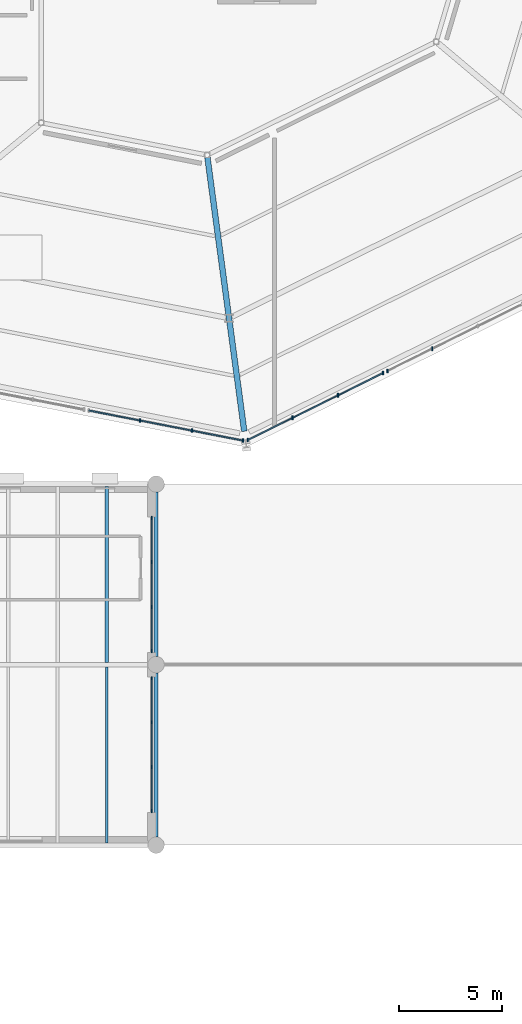
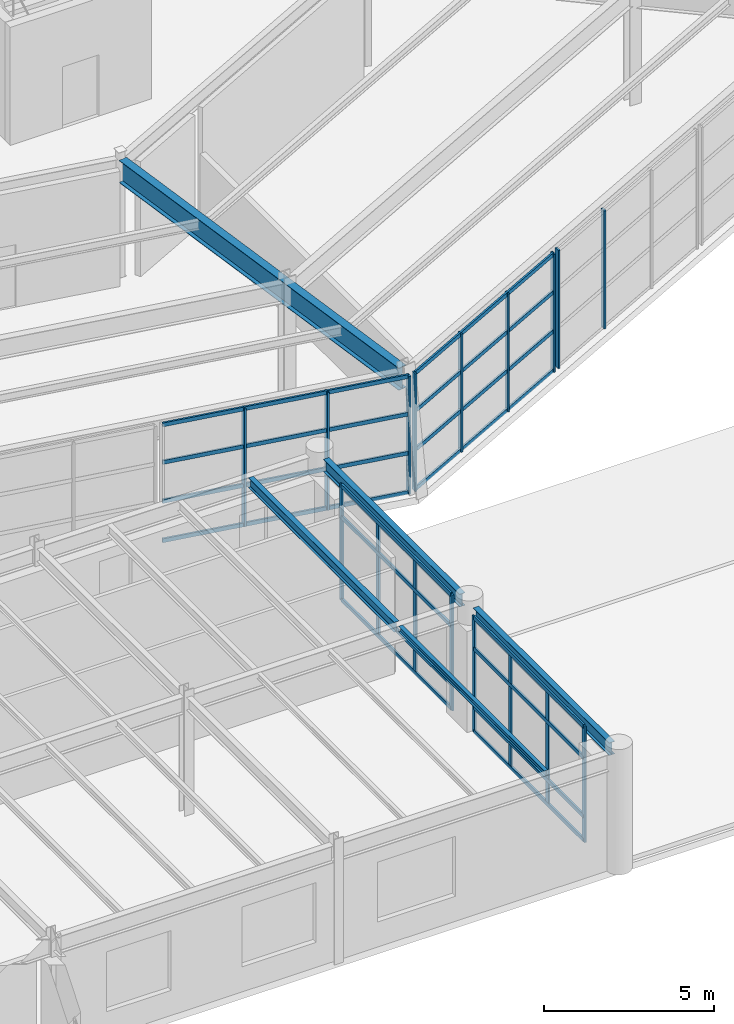
# One storey, part 40 of 77: 33 members, 5 beams, 5 elements without a shape of their own.
"""IFC4 building model written with IfcOpenShell, lengths in metres."""

import ifcopenshell
import ifcopenshell.guid

model = None  # the IFC model being written
_history = None  # IfcOwnerHistory: only IFC2X3 demands one
_inside = {}  # id of a spatial element -> (the spatial element, [elements in it])
_under = {}  # id of a project, library or spatial element -> (it, [spatial elements below it])
_declared = {}  # id of a project -> (the project, [libraries it declares])
_typed = {}  # id of a type object -> (the type object, [elements of that type])
_made_of = {}  # id of a material, layer set ... -> (it, [elements and type objects made of it])


def new_model(schema):
    """Start an empty IFC model of exactly this schema.

    Asked for "IFC4X3", IfcOpenShell would pick the latest addendum, in which some entities
    have other attributes; the version numbers below select the first issue.
    IFC2X3 requires an IfcOwnerHistory on every rooted entity: one is made here for all.
    """
    global model, _history
    if schema == "IFC4X3":
        model = ifcopenshell.file(schema_version=(4, 3, 0, 0))
    else:
        model = ifcopenshell.file(schema=schema)
    _inside.clear()
    _under.clear()
    _declared.clear()
    _typed.clear()
    _made_of.clear()
    _history = None
    if model.schema == "IFC2X3":
        org = make("IfcOrganization", Name="unknown")
        user = make(
            "IfcPersonAndOrganization",
            ThePerson=make("IfcPerson", FamilyName="unknown"),
            TheOrganization=org,
        )
        app = make(
            "IfcApplication",
            ApplicationDeveloper=org,
            Version="unknown",
            ApplicationFullName="unknown",
            ApplicationIdentifier="unknown",
        )
        _history = make(
            "IfcOwnerHistory",
            OwningUser=user,
            OwningApplication=app,
            ChangeAction="ADDED",
            CreationDate=0,
        )
    return model


def make(cls, **values):
    """One entity of the class cls with the attributes given. An attribute that is None is left unset."""
    return model.create_entity(
        cls, **{name: value for name, value in values.items() if value is not None}
    )


def rooted(cls, **values):
    """An entity with a GlobalId (a new one), such as an element, a storey or a relation."""
    return make(cls, GlobalId=ifcopenshell.guid.new(), OwnerHistory=_history, **values)


def si_unit(unit_type, name, prefix=None):
    """IfcSIUnit, for example si_unit("LENGTHUNIT", "METRE", prefix="MILLI")."""
    return make("IfcSIUnit", UnitType=unit_type, Prefix=prefix, Name=name)


def assignment(units):
    """IfcUnitAssignment: the units of a project."""
    return None if units is None else make("IfcUnitAssignment", Units=units)


def point(xyz):
    """IfcCartesianPoint."""
    return None if xyz is None else make("IfcCartesianPoint", Coordinates=xyz)


def direction(xyz):
    """IfcDirection."""
    return None if xyz is None else make("IfcDirection", DirectionRatios=xyz)


def frame(location, z_axis=None, x_axis=None):
    """IfcAxis2Placement3D, a coordinate frame: its origin and axes. An axis left out is left unset."""
    return make(
        "IfcAxis2Placement3D",
        Location=point(location),
        Axis=direction(z_axis),
        RefDirection=direction(x_axis),
    )


def frame_2d(location, x_axis=None):
    """IfcAxis2Placement2D, a coordinate frame in the plane: its origin and x axis."""
    return make(
        "IfcAxis2Placement2D", Location=point(location), RefDirection=direction(x_axis)
    )


def origin():
    """The frame at (0, 0, 0) with its axes left unset."""
    return frame((0.0, 0.0, 0.0))


def origin_2d():
    """The frame at (0, 0) in the plane with its x axis left unset."""
    return frame_2d((0.0, 0.0))


def place(relative_to, where):
    """IfcLocalPlacement: puts the frame where relative to a parent placement (None: the world)."""
    return make(
        "IfcLocalPlacement", PlacementRelTo=relative_to, RelativePlacement=where
    )


def context(
    kind, dimensions, precision=None, world=None, true_north=None, identifier=None
):
    """IfcGeometricRepresentationContext, for example the 3D "Model" context."""
    return make(
        "IfcGeometricRepresentationContext",
        ContextIdentifier=identifier,
        ContextType=kind,
        CoordinateSpaceDimension=dimensions,
        Precision=precision,
        WorldCoordinateSystem=world,
        TrueNorth=true_north,
    )


def subcontext(parent, identifier, kind, view, scale=None):
    """IfcGeometricRepresentationSubContext, for example "Body" below "Model"."""
    return make(
        "IfcGeometricRepresentationSubContext",
        ContextIdentifier=identifier,
        ContextType=kind,
        ParentContext=parent,
        TargetScale=scale,
        TargetView=view,
    )


def project(units=None, contexts=None):
    """IfcProject with its units and contexts."""
    return rooted(
        "IfcProject",
        Name="project",
        RepresentationContexts=contexts,
        UnitsInContext=assignment(units),
    )


def spatial(cls, under=None, at=None, **own):
    """A site, building, storey or space (cls), placed at a placement, below another one or the project."""
    s = rooted(cls, ObjectPlacement=at, **own)
    if under is not None:
        _under.setdefault(under.id(), (under, []))[1].append(s)
    return s


def profile(cls, at=None, kind="AREA", **sizes):
    """A parametric profile (cls). Its sizes go by their IFC names, for example OverallWidth=200.0."""
    return make(cls, ProfileType=kind, Position=at, **sizes)


def rectangle(**sizes):
    """IfcRectangleProfileDef."""
    return profile("IfcRectangleProfileDef", **sizes)


def i_section(**sizes):
    """IfcIShapeProfileDef."""
    return profile("IfcIShapeProfileDef", **sizes)


def extrude(swept, where, along, depth):
    """IfcExtrudedAreaSolid: the profile swept, set in the frame where, extruded along a direction by depth."""
    return make(
        "IfcExtrudedAreaSolid",
        SweptArea=swept,
        Position=where,
        ExtrudedDirection=direction(along),
        Depth=depth,
    )


def shape(context_of_items, identifier, shape_type, items):
    """IfcShapeRepresentation: the items that make up one representation, for example the "Body"."""
    return make(
        "IfcShapeRepresentation",
        ContextOfItems=context_of_items,
        RepresentationIdentifier=identifier,
        RepresentationType=shape_type,
        Items=items,
    )


def material(Name=None, Category=None):
    """IfcMaterial."""
    return make("IfcMaterial", Name=Name, Category=Category)


def material_profile(
    of_material, cross_section, Name=None, Category=None, Priority=None
):
    """IfcMaterialProfile: a cross section and its material."""
    return make(
        "IfcMaterialProfile",
        Name=Name,
        Material=of_material,
        Profile=cross_section,
        Priority=Priority,
        Category=Category,
    )


def profile_set(profiles, Name=None, composite=None):
    """IfcMaterialProfileSet."""
    return make(
        "IfcMaterialProfileSet",
        Name=Name,
        MaterialProfiles=profiles,
        CompositeProfile=composite,
    )


def made_of(thing, what):
    """Note that an element or type object is made of a material, layer set ...; save() writes the relation."""
    if what is not None:
        _made_of.setdefault(what.id(), (what, []))[1].append(thing)
    return thing


def type_object(cls, material=None, **own):
    """A type object (cls), such as IfcWallType, which elements share."""
    return made_of(rooted(cls, **own), material)


def element(
    cls,
    number,
    at=None,
    inside=None,
    cuts=None,
    type_object=None,
    material=None,
    context=None,
    identifier="Body",
    shape_type=None,
    held_by="IfcProductDefinitionShape",
    body=None,
    shapes=None,
    **own,
):
    """One element of the class cls, such as IfcWall. Its Tag is "e" and its number.

    at: its placement. inside: the storey or other place that contains it. cuts: it is an
    opening in that element (IfcRelVoidsElement). A single representation is given by context,
    identifier, shape_type and body (its items); several are given by shapes. held_by: the class
    of the entity that holds the representations. save() writes the other relations.
    """
    e = rooted(cls, Tag="e%d" % number, ObjectPlacement=at, **own)
    if body is not None:
        shapes = [shape(context, identifier, shape_type, body)]
    if shapes is not None:
        e.Representation = make(held_by, Representations=shapes)
    if inside is not None:
        _inside.setdefault(inside.id(), (inside, []))[1].append(e)
    if cuts is not None:
        rooted(
            "IfcRelVoidsElement", RelatingBuildingElement=cuts, RelatedOpeningElement=e
        )
    if type_object is not None:
        _typed.setdefault(type_object.id(), (type_object, []))[1].append(e)
    return made_of(e, material)


def aggregate(whole, parts):
    """IfcRelAggregates: a whole, such as a stair, and the parts it consists of."""
    return rooted("IfcRelAggregates", RelatingObject=whole, RelatedObjects=parts)


def save(model, path):
    """Write the relations noted so far, then the file.

    IfcRelAggregates (storeys below a building ...), IfcRelContainedInSpatialStructure (elements
    in a storey), IfcRelDefinesByType, IfcRelAssociatesMaterial and IfcRelDeclares: one each for
    every whole, place, type object, material and project.
    """
    for whole, parts in _under.values():
        aggregate(whole, parts)
    for where, things in _inside.values():
        rooted(
            "IfcRelContainedInSpatialStructure",
            RelatedElements=things,
            RelatingStructure=where,
        )
    for kind, things in _typed.values():
        rooted("IfcRelDefinesByType", RelatedObjects=things, RelatingType=kind)
    for what, things in _made_of.values():
        rooted("IfcRelAssociatesMaterial", RelatedObjects=things, RelatingMaterial=what)
    for by, libraries in _declared.values():
        rooted("IfcRelDeclares", RelatingContext=by, RelatedDefinitions=libraries)
    model.write(path)


model = new_model("IFC4")

# Units and contexts
model_context = context("Model", 3, precision=1e-05, world=origin(), true_north=direction((0.0, 1.0)))
body_context = subcontext(model_context, "Body", "Model", "MODEL_VIEW")
ifc_project = project(units=[si_unit("LENGTHUNIT", "METRE"), si_unit("AREAUNIT", "SQUARE_METRE"), si_unit("VOLUMEUNIT", "CUBIC_METRE"), si_unit("PLANEANGLEUNIT", "RADIAN"), si_unit("MASSUNIT", "GRAM", prefix="KILO")], contexts=[model_context])

# Site, building, storey
site_placement = place(None, origin())
site = spatial("IfcSite", under=ifc_project, at=site_placement, CompositionType="ELEMENT")
building_placement = place(site_placement, origin())
building = spatial("IfcBuilding", under=site, at=building_placement, Name="Sarnbrook Museum", CompositionType="ELEMENT")
storey_placement = place(building_placement, frame((0.0, 0.0, 5.60009765625)))
storey = spatial("IfcBuildingStorey", under=building, at=storey_placement, Name="L01", CompositionType="ELEMENT", Elevation=5.60009765625)

# Beams
ifc_material_1 = material(Name="Structural Steel Grade 300PLUS (AS/NZS 3679.1, fy = 280 MPa for 17 < t <= 40 mm, 300 MPa for t <= 17 mm)", Category="steel")
ifc_material_profile_1 = material_profile(ifc_material_1, i_section(OverallWidth=0.18994140625, OverallDepth=0.45703125, WebThickness=0.009033203125, FlangeThickness=0.014404296875, FilletRadius=0.011474609375, at=origin_2d()), Name="460UB74.6")
ifc_profile_set_1 = profile_set([ifc_material_profile_1], Name="Structural Steel Grade 300PLUS (AS/NZS 3679.1, fy = 280 MPa for 17 < t <= 40 mm, 300 MPa for t <= 17 mm)")
beam_type_1 = type_object("IfcBeamType", Name="BM-UB460", PredefinedType="BEAM", material=ifc_profile_set_1)
for number, where, z_axis, x_axis, name in (
    (1, (138.39990234375, 39.60009765625, 4.021484375), (0.0, 1.0, 0.0), (-1.0, 0.0, 0.0), "Girder 15:E-F L01"),
    (2, (138.39990234375, 48.39990234375, 4.021484375), (0.0, 1.0, 0.0), (-1.0, 0.0, 0.0), "Girder 15:F-G L01"),
):
    element("IfcBeam", number, at=place(storey_placement, frame(where, z_axis=z_axis, x_axis=x_axis)), inside=storey, type_object=beam_type_1, Name=name, PredefinedType="BEAM", context=body_context, shape_type="SweptSolid", body=[
        extrude(i_section(OverallWidth=0.18994140625, OverallDepth=0.45703125, WebThickness=0.009033203125, FlangeThickness=0.014404296875, FilletRadius=0.011474609375, at=origin_2d()), origin(), (0.0, 0.0, 1.0), 8.0),
    ])
ifc_material_2 = material(Name="Structural Steel Grade 350L0 (AS/NZS 3678, fy = 340 MPa for 20 < t <= 40 mm)", Category="steel")
ifc_material_profile_2 = material_profile(ifc_material_2, i_section(OverallWidth=0.27490234375, OverallDepth=0.800048828125, WebThickness=0.010009765625, FlangeThickness=0.01611328125, at=origin_2d()), Name="800WB146")
ifc_profile_set_2 = profile_set([ifc_material_profile_2], Name="Structural Steel Grade 350L0 (AS/NZS 3678, fy = 340 MPa for 20 < t <= 40 mm)")
beam_type_2 = type_object("IfcBeamType", Name="CR-CANT", PredefinedType="BEAM", material=ifc_profile_set_2)
beam_1_placement = place(storey_placement, frame((140.9033203125, 72.7099609375, 3.83984375), z_axis=(0.133228052904, -0.991085407984, 0.0), x_axis=(0.991085407984, 0.133228052904, 0.0)))
element("IfcBeam", 3, at=beam_1_placement, inside=storey, type_object=beam_type_2, Name="Crystal Hall Radial Cantilever Girder 2 L01", PredefinedType="BEAM", context=body_context, shape_type="SweptSolid", body=[
    extrude(i_section(OverallWidth=0.27490234375, OverallDepth=0.800048828125, WebThickness=0.010009765625, FlangeThickness=0.01611328125, at=origin_2d()), origin(), (0.0, 0.0, 1.0), 13.461669921875),
])

# Curtain wall, members
ifc_material_3 = material(Name="Thermally Broken Anodised Aluminium 6063-T6", Category="aluminium")
curtain_wall_type_1 = type_object("IfcCurtainWallType", Name="CurtainWall_GalleryRibbon", PredefinedType="NOTDEFINED", material=ifc_material_3)
curtain_wall_1_placement = place(storey_placement, origin())
curtain_wall_1 = element("IfcCurtainWall", 4, at=curtain_wall_1_placement, inside=storey, type_object=curtain_wall_type_1, Name="Gallery Ribbon Curtain Wall L01-4.1", PredefinedType="NOTDEFINED")
ifc_material_profile_3 = material_profile(ifc_material_3, rectangle(XDim=0.06005859375, YDim=0.159912109375, at=origin_2d()), Name="ALU MULLION 60x160")
ifc_profile_set_3 = profile_set([ifc_material_profile_3], Name="Thermally Broken Anodised Aluminium 6063-T6")
member_type_1 = type_object("IfcMemberType", Name="CW_Mullion_150x65", PredefinedType="MULLION", material=ifc_profile_set_3)
member_1_placement = place(storey_placement, frame((138.18994140625, 40.860107421875, 0.0), z_axis=(0.0, 0.0, 1.0), x_axis=(1.0, 0.0, 0.0)))
member_1 = element("IfcMember", 5, at=member_1_placement, type_object=member_type_1, Name="Gallery Ribbon Curtain Wall L01-4.1 Mullion 1", PredefinedType="MULLION", context=body_context, shape_type="SweptSolid", body=[
    extrude(rectangle(XDim=0.06005859375, YDim=0.159912109375, at=origin_2d()), origin(), (0.0, 0.0, 1.0), 4.159912109375),
])
member_2_placement = place(storey_placement, frame((138.18994140625, 43.006591796875, 0.0), z_axis=(0.0, 0.0, 1.0), x_axis=(1.0, 0.0, 0.0)))
member_2 = element("IfcMember", 6, at=member_2_placement, type_object=member_type_1, Name="Gallery Ribbon Curtain Wall L01-4.1 Mullion 2", PredefinedType="MULLION", context=body_context, shape_type="SweptSolid", body=[
    extrude(rectangle(XDim=0.06005859375, YDim=0.159912109375, at=origin_2d()), origin(), (0.0, 0.0, 1.0), 4.159912109375),
])
member_3_placement = place(storey_placement, frame((138.18994140625, 45.193359375, 0.0), z_axis=(0.0, 0.0, 1.0), x_axis=(1.0, 0.0, 0.0)))
member_3 = element("IfcMember", 7, at=member_3_placement, type_object=member_type_1, Name="Gallery Ribbon Curtain Wall L01-4.1 Mullion 3", PredefinedType="MULLION", context=body_context, shape_type="SweptSolid", body=[
    extrude(rectangle(XDim=0.06005859375, YDim=0.159912109375, at=origin_2d()), origin(), (0.0, 0.0, 1.0), 4.159912109375),
])
member_4_placement = place(storey_placement, frame((138.18994140625, 47.340087890625, 0.0), z_axis=(0.0, 0.0, 1.0), x_axis=(1.0, 0.0, 0.0)))
member_4 = element("IfcMember", 8, at=member_4_placement, type_object=member_type_1, Name="Gallery Ribbon Curtain Wall L01-4.1 Mullion 4", PredefinedType="MULLION", context=body_context, shape_type="SweptSolid", body=[
    extrude(rectangle(XDim=0.06005859375, YDim=0.159912109375, at=origin_2d()), origin(), (0.0, 0.0, 1.0), 4.159912109375),
])

curtain_wall_2_placement = place(storey_placement, origin())
curtain_wall_2 = element("IfcCurtainWall", 9, at=curtain_wall_2_placement, inside=storey, type_object=curtain_wall_type_1, Name="Gallery Ribbon Curtain Wall L01-4.2", PredefinedType="NOTDEFINED")
member_5_placement = place(storey_placement, frame((138.18994140625, 48.659912109375, 0.0), z_axis=(0.0, 0.0, 1.0), x_axis=(1.0, 0.0, 0.0)))
member_5 = element("IfcMember", 10, at=member_5_placement, type_object=member_type_1, Name="Gallery Ribbon Curtain Wall L01-4.2 Mullion 1", PredefinedType="MULLION", context=body_context, shape_type="SweptSolid", body=[
    extrude(rectangle(XDim=0.06005859375, YDim=0.159912109375, at=origin_2d()), origin(), (0.0, 0.0, 1.0), 4.159912109375),
])
member_6_placement = place(storey_placement, frame((138.18994140625, 50.806640625, 0.0), z_axis=(0.0, 0.0, 1.0), x_axis=(1.0, 0.0, 0.0)))
member_6 = element("IfcMember", 11, at=member_6_placement, type_object=member_type_1, Name="Gallery Ribbon Curtain Wall L01-4.2 Mullion 2", PredefinedType="MULLION", context=body_context, shape_type="SweptSolid", body=[
    extrude(rectangle(XDim=0.06005859375, YDim=0.159912109375, at=origin_2d()), origin(), (0.0, 0.0, 1.0), 4.159912109375),
])
member_7_placement = place(storey_placement, frame((138.18994140625, 52.993408203125, 0.0), z_axis=(0.0, 0.0, 1.0), x_axis=(1.0, 0.0, 0.0)))
member_7 = element("IfcMember", 12, at=member_7_placement, type_object=member_type_1, Name="Gallery Ribbon Curtain Wall L01-4.2 Mullion 3", PredefinedType="MULLION", context=body_context, shape_type="SweptSolid", body=[
    extrude(rectangle(XDim=0.06005859375, YDim=0.159912109375, at=origin_2d()), origin(), (0.0, 0.0, 1.0), 4.159912109375),
])
member_8_placement = place(storey_placement, frame((138.18994140625, 55.139892578125, 0.0), z_axis=(0.0, 0.0, 1.0), x_axis=(1.0, 0.0, 0.0)))
member_8 = element("IfcMember", 13, at=member_8_placement, type_object=member_type_1, Name="Gallery Ribbon Curtain Wall L01-4.2 Mullion 4", PredefinedType="MULLION", context=body_context, shape_type="SweptSolid", body=[
    extrude(rectangle(XDim=0.06005859375, YDim=0.159912109375, at=origin_2d()), origin(), (0.0, 0.0, 1.0), 4.159912109375),
])

curtain_wall_type_2 = type_object("IfcCurtainWallType", Name="CurtainWall_CrystalFacet", PredefinedType="NOTDEFINED", material=ifc_material_3)
curtain_wall_3_placement = place(storey_placement, origin())
curtain_wall_3 = element("IfcCurtainWall", 14, at=curtain_wall_3_placement, inside=storey, type_object=curtain_wall_type_2, Name="Crystal Hall Facet Curtain Wall L01-F1.3", PredefinedType="NOTDEFINED")
ifc_material_profile_4 = material_profile(ifc_material_3, rectangle(XDim=0.06494140625, YDim=0.179931640625, at=origin_2d()), Name="ALU MULLION 65x180")
ifc_profile_set_4 = profile_set([ifc_material_profile_4], Name="Thermally Broken Anodised Aluminium 6063-T6")
member_type_2 = type_object("IfcMemberType", Name="CW_Mullion_180x75", PredefinedType="MULLION", material=ifc_profile_set_4)
member_9_placement = place(storey_placement, frame((137.61328125, 59.895263671875, 0.0), z_axis=(0.0, 0.0, 1.0), x_axis=(1.0, 0.0, 0.0)))
member_9 = element("IfcMember", 15, at=member_9_placement, type_object=member_type_2, Name="Crystal Hall Facet Curtain Wall L01-F1.3 Mullion 2", PredefinedType="MULLION", context=body_context, shape_type="SweptSolid", body=[
    extrude(rectangle(XDim=0.06494140625, YDim=0.179931640625, at=origin_2d()), origin(), (0.0, 0.0, 1.0), 4.239990234375),
])
member_10_placement = place(storey_placement, frame((140.147705078125, 59.4013671875, 0.0), z_axis=(0.0, 0.0, 1.0), x_axis=(1.0, 0.0, 0.0)))
member_10 = element("IfcMember", 16, at=member_10_placement, type_object=member_type_2, Name="Crystal Hall Facet Curtain Wall L01-F1.3 Mullion 3", PredefinedType="MULLION", context=body_context, shape_type="SweptSolid", body=[
    extrude(rectangle(XDim=0.06494140625, YDim=0.179931640625, at=origin_2d()), origin(), (0.0, 0.0, 1.0), 4.239990234375),
])
member_11_placement = place(storey_placement, frame((142.642822265625, 58.9150390625, 0.0), z_axis=(0.0, 0.0, 1.0), x_axis=(1.0, 0.0, 0.0)))
member_11 = element("IfcMember", 17, at=member_11_placement, type_object=member_type_2, Name="Crystal Hall Facet Curtain Wall L01-F1.3 Mullion 4", PredefinedType="MULLION", context=body_context, shape_type="SweptSolid", body=[
    extrude(rectangle(XDim=0.06494140625, YDim=0.179931640625, at=origin_2d()), origin(), (0.0, 0.0, 1.0), 4.239990234375),
])

curtain_wall_4_placement = place(storey_placement, origin())
curtain_wall_4 = element("IfcCurtainWall", 18, at=curtain_wall_4_placement, inside=storey, type_object=curtain_wall_type_2, Name="Crystal Hall Facet Curtain Wall L01-F2.1", PredefinedType="NOTDEFINED")
member_12_placement = place(storey_placement, frame((142.8681640625, 58.9453125, 0.0), z_axis=(0.0, 0.0, 1.0), x_axis=(1.0, 0.0, 0.0)))
member_12 = element("IfcMember", 19, at=member_12_placement, type_object=member_type_2, Name="Crystal Hall Facet Curtain Wall L01-F2.1 Mullion 1", PredefinedType="MULLION", context=body_context, shape_type="SweptSolid", body=[
    extrude(rectangle(XDim=0.06494140625, YDim=0.179931640625, at=origin_2d()), origin(), (0.0, 0.0, 1.0), 4.239990234375),
])
member_13_placement = place(storey_placement, frame((145.052001953125, 60.026611328125, 0.0), z_axis=(0.0, 0.0, 1.0), x_axis=(1.0, 0.0, 0.0)))
member_13 = element("IfcMember", 20, at=member_13_placement, type_object=member_type_2, Name="Crystal Hall Facet Curtain Wall L01-F2.1 Mullion 2", PredefinedType="MULLION", context=body_context, shape_type="SweptSolid", body=[
    extrude(rectangle(XDim=0.06494140625, YDim=0.179931640625, at=origin_2d()), origin(), (0.0, 0.0, 1.0), 4.239990234375),
])
member_14_placement = place(storey_placement, frame((147.271484375, 61.12548828125, 0.0), z_axis=(0.0, 0.0, 1.0), x_axis=(1.0, 0.0, 0.0)))
member_14 = element("IfcMember", 21, at=member_14_placement, type_object=member_type_2, Name="Crystal Hall Facet Curtain Wall L01-F2.1 Mullion 3", PredefinedType="MULLION", context=body_context, shape_type="SweptSolid", body=[
    extrude(rectangle(XDim=0.06494140625, YDim=0.179931640625, at=origin_2d()), origin(), (0.0, 0.0, 1.0), 4.239990234375),
])
member_15_placement = place(storey_placement, frame((149.455322265625, 62.206787109375, 0.0), z_axis=(0.0, 0.0, 1.0), x_axis=(1.0, 0.0, 0.0)))
member_15 = element("IfcMember", 22, at=member_15_placement, type_object=member_type_2, Name="Crystal Hall Facet Curtain Wall L01-F2.1 Mullion 4", PredefinedType="MULLION", context=body_context, shape_type="SweptSolid", body=[
    extrude(rectangle(XDim=0.06494140625, YDim=0.179931640625, at=origin_2d()), origin(), (0.0, 0.0, 1.0), 4.239990234375),
])

curtain_wall_5_placement = place(storey_placement, origin())
curtain_wall_5 = element("IfcCurtainWall", 23, at=curtain_wall_5_placement, inside=storey, type_object=curtain_wall_type_2, Name="Crystal Hall Facet Curtain Wall L01-F2.2", PredefinedType="NOTDEFINED")
member_16_placement = place(storey_placement, frame((149.67041015625, 62.313232421875, 0.0), z_axis=(0.0, 0.0, 1.0), x_axis=(1.0, 0.0, 0.0)))
member_16 = element("IfcMember", 24, at=member_16_placement, type_object=member_type_2, Name="Crystal Hall Facet Curtain Wall L01-F2.2 Mullion 1", PredefinedType="MULLION", context=body_context, shape_type="SweptSolid", body=[
    extrude(rectangle(XDim=0.06494140625, YDim=0.179931640625, at=origin_2d()), origin(), (0.0, 0.0, 1.0), 4.239990234375),
])
member_17_placement = place(storey_placement, frame((151.85400390625, 63.39453125, 0.0), z_axis=(0.0, 0.0, 1.0), x_axis=(1.0, 0.0, 0.0)))
member_17 = element("IfcMember", 25, at=member_17_placement, type_object=member_type_2, Name="Crystal Hall Facet Curtain Wall L01-F2.2 Mullion 2", PredefinedType="MULLION", context=body_context, shape_type="SweptSolid", body=[
    extrude(rectangle(XDim=0.06494140625, YDim=0.179931640625, at=origin_2d()), origin(), (0.0, 0.0, 1.0), 4.239990234375),
])
aggregate(curtain_wall_5, [member_16, member_17])

# Member
ifc_material_profile_5 = material_profile(ifc_material_3, rectangle(XDim=0.06494140625, YDim=0.139892578125, at=origin_2d()), Name="ALU TRANSOM 65x140")
ifc_profile_set_5 = profile_set([ifc_material_profile_5], Name="Thermally Broken Anodised Aluminium 6063-T6")
member_type_3 = type_object("IfcMemberType", Name="CW_Transom_150x65", PredefinedType="USERDEFINED", material=ifc_profile_set_5)
member_18_placement = place(storey_placement, frame((135.127685546875, 60.3798828125, 0.039794921875), z_axis=(0.981529214935, -0.191312310711, 0.0), x_axis=(0.191312310711, 0.981529214935, 0.0)))
member_18 = element("IfcMember", 26, at=member_18_placement, type_object=member_type_3, Name="Crystal Hall Facet Curtain Wall L01-F1.3 Transom 1", ObjectType="TRANSOM", PredefinedType="USERDEFINED", context=body_context, shape_type="SweptSolid", body=[
    extrude(rectangle(XDim=0.06494140625, YDim=0.139892578125, at=origin_2d()), origin(), (0.0, 0.0, 1.0), 7.646728515625),
])

member_19_placement = place(storey_placement, frame((135.127685546875, 60.3798828125, 1.449951171875), z_axis=(0.981529214935, -0.191312310711, 0.0), x_axis=(0.191312310711, 0.981529214935, 0.0)))
member_19 = element("IfcMember", 27, at=member_19_placement, type_object=member_type_3, Name="Crystal Hall Facet Curtain Wall L01-F1.3 Transom 2", ObjectType="TRANSOM", PredefinedType="USERDEFINED", context=body_context, shape_type="SweptSolid", body=[
    extrude(rectangle(XDim=0.06494140625, YDim=0.139892578125, at=origin_2d()), origin(), (0.0, 0.0, 1.0), 7.646728515625),
])

member_20_placement = place(storey_placement, frame((135.127685546875, 60.3798828125, 2.849853515625), z_axis=(0.981529214935, -0.191312310711, 0.0), x_axis=(0.191312310711, 0.981529214935, 0.0)))
member_20 = element("IfcMember", 28, at=member_20_placement, type_object=member_type_3, Name="Crystal Hall Facet Curtain Wall L01-F1.3 Transom 3", ObjectType="TRANSOM", PredefinedType="USERDEFINED", context=body_context, shape_type="SweptSolid", body=[
    extrude(rectangle(XDim=0.06494140625, YDim=0.139892578125, at=origin_2d()), origin(), (0.0, 0.0, 1.0), 7.646728515625),
])

member_21_placement = place(storey_placement, frame((135.127685546875, 60.3798828125, 4.199951171875), z_axis=(0.981529214935, -0.191312310711, 0.0), x_axis=(0.191312310711, 0.981529214935, 0.0)))
member_21 = element("IfcMember", 29, at=member_21_placement, type_object=member_type_3, Name="Crystal Hall Facet Curtain Wall L01-F1.3 Transom 4", ObjectType="TRANSOM", PredefinedType="USERDEFINED", context=body_context, shape_type="SweptSolid", body=[
    extrude(rectangle(XDim=0.06494140625, YDim=0.139892578125, at=origin_2d()), origin(), (0.0, 0.0, 1.0), 7.646728515625),
])

aggregate(curtain_wall_3, [member_9, member_10, member_11, member_18, member_19, member_20, member_21])

member_22_placement = place(storey_placement, frame((142.877197265625, 58.94970703125, 0.039794921875), z_axis=(0.896158994675, 0.443733091242, 0.0), x_axis=(-0.443733091242, 0.896158994675, 0.0)))
member_22 = element("IfcMember", 30, at=member_22_placement, type_object=member_type_3, Name="Crystal Hall Facet Curtain Wall L01-F2.1 Transom 1", ObjectType="TRANSOM", PredefinedType="USERDEFINED", context=body_context, shape_type="SweptSolid", body=[
    extrude(rectangle(XDim=0.06494140625, YDim=0.139892578125, at=origin_2d()), origin(), (0.0, 0.0, 1.0), 7.330322265625),
])

member_23_placement = place(storey_placement, frame((142.877197265625, 58.94970703125, 1.449951171875), z_axis=(0.896158994675, 0.443733091242, 0.0), x_axis=(-0.443733091242, 0.896158994675, 0.0)))
member_23 = element("IfcMember", 31, at=member_23_placement, type_object=member_type_3, Name="Crystal Hall Facet Curtain Wall L01-F2.1 Transom 2", ObjectType="TRANSOM", PredefinedType="USERDEFINED", context=body_context, shape_type="SweptSolid", body=[
    extrude(rectangle(XDim=0.06494140625, YDim=0.139892578125, at=origin_2d()), origin(), (0.0, 0.0, 1.0), 7.330322265625),
])

member_24_placement = place(storey_placement, frame((142.877197265625, 58.94970703125, 2.849853515625), z_axis=(0.896158994675, 0.443733091242, 0.0), x_axis=(-0.443733091242, 0.896158994675, 0.0)))
member_24 = element("IfcMember", 32, at=member_24_placement, type_object=member_type_3, Name="Crystal Hall Facet Curtain Wall L01-F2.1 Transom 3", ObjectType="TRANSOM", PredefinedType="USERDEFINED", context=body_context, shape_type="SweptSolid", body=[
    extrude(rectangle(XDim=0.06494140625, YDim=0.139892578125, at=origin_2d()), origin(), (0.0, 0.0, 1.0), 7.330322265625),
])

member_25_placement = place(storey_placement, frame((142.877197265625, 58.94970703125, 4.199951171875), z_axis=(0.896158994675, 0.443733091242, 0.0), x_axis=(-0.443733091242, 0.896158994675, 0.0)))
member_25 = element("IfcMember", 33, at=member_25_placement, type_object=member_type_3, Name="Crystal Hall Facet Curtain Wall L01-F2.1 Transom 4", ObjectType="TRANSOM", PredefinedType="USERDEFINED", context=body_context, shape_type="SweptSolid", body=[
    extrude(rectangle(XDim=0.06494140625, YDim=0.139892578125, at=origin_2d()), origin(), (0.0, 0.0, 1.0), 7.330322265625),
])

aggregate(curtain_wall_4, [member_12, member_13, member_14, member_15, member_22, member_23, member_24, member_25])

member_26_placement = place(storey_placement, frame((138.18994140625, 40.8701171875, 0.039794921875), z_axis=(0.0, 1.0, 0.0), x_axis=(-1.0, 0.0, 0.0)))
member_26 = element("IfcMember", 34, at=member_26_placement, type_object=member_type_3, Name="Gallery Ribbon Curtain Wall L01-4.1 Transom 1", ObjectType="TRANSOM", PredefinedType="USERDEFINED", context=body_context, shape_type="SweptSolid", body=[
    extrude(rectangle(XDim=0.06494140625, YDim=0.139892578125, at=origin_2d()), origin(), (0.0, 0.0, 1.0), 6.4599609375),
])

member_27_placement = place(storey_placement, frame((138.18994140625, 40.8701171875, 0.89990234375), z_axis=(0.0, 1.0, 0.0), x_axis=(-1.0, 0.0, 0.0)))
member_27 = element("IfcMember", 35, at=member_27_placement, type_object=member_type_3, Name="Gallery Ribbon Curtain Wall L01-4.1 Transom 2", ObjectType="TRANSOM", PredefinedType="USERDEFINED", context=body_context, shape_type="SweptSolid", body=[
    extrude(rectangle(XDim=0.06494140625, YDim=0.139892578125, at=origin_2d()), origin(), (0.0, 0.0, 1.0), 6.4599609375),
])

member_28_placement = place(storey_placement, frame((138.18994140625, 40.8701171875, 3.0), z_axis=(0.0, 1.0, 0.0), x_axis=(-1.0, 0.0, 0.0)))
member_28 = element("IfcMember", 36, at=member_28_placement, type_object=member_type_3, Name="Gallery Ribbon Curtain Wall L01-4.1 Transom 3", ObjectType="TRANSOM", PredefinedType="USERDEFINED", context=body_context, shape_type="SweptSolid", body=[
    extrude(rectangle(XDim=0.06494140625, YDim=0.139892578125, at=origin_2d()), origin(), (0.0, 0.0, 1.0), 6.4599609375),
])

member_29_placement = place(storey_placement, frame((138.18994140625, 40.8701171875, 4.119873046875), z_axis=(0.0, 1.0, 0.0), x_axis=(-1.0, 0.0, 0.0)))
member_29 = element("IfcMember", 37, at=member_29_placement, type_object=member_type_3, Name="Gallery Ribbon Curtain Wall L01-4.1 Transom 4", ObjectType="TRANSOM", PredefinedType="USERDEFINED", context=body_context, shape_type="SweptSolid", body=[
    extrude(rectangle(XDim=0.06494140625, YDim=0.139892578125, at=origin_2d()), origin(), (0.0, 0.0, 1.0), 6.4599609375),
])

aggregate(curtain_wall_1, [member_1, member_2, member_3, member_4, member_26, member_27, member_28, member_29])

member_30_placement = place(storey_placement, frame((138.18994140625, 48.669921875, 0.039794921875), z_axis=(0.0, 1.0, 0.0), x_axis=(-1.0, 0.0, 0.0)))
member_30 = element("IfcMember", 38, at=member_30_placement, type_object=member_type_3, Name="Gallery Ribbon Curtain Wall L01-4.2 Transom 1", ObjectType="TRANSOM", PredefinedType="USERDEFINED", context=body_context, shape_type="SweptSolid", body=[
    extrude(rectangle(XDim=0.06494140625, YDim=0.139892578125, at=origin_2d()), origin(), (0.0, 0.0, 1.0), 6.4599609375),
])

member_31_placement = place(storey_placement, frame((138.18994140625, 48.669921875, 0.89990234375), z_axis=(0.0, 1.0, 0.0), x_axis=(-1.0, 0.0, 0.0)))
member_31 = element("IfcMember", 39, at=member_31_placement, type_object=member_type_3, Name="Gallery Ribbon Curtain Wall L01-4.2 Transom 2", ObjectType="TRANSOM", PredefinedType="USERDEFINED", context=body_context, shape_type="SweptSolid", body=[
    extrude(rectangle(XDim=0.06494140625, YDim=0.139892578125, at=origin_2d()), origin(), (0.0, 0.0, 1.0), 6.4599609375),
])

member_32_placement = place(storey_placement, frame((138.18994140625, 48.669921875, 3.0), z_axis=(0.0, 1.0, 0.0), x_axis=(-1.0, 0.0, 0.0)))
member_32 = element("IfcMember", 40, at=member_32_placement, type_object=member_type_3, Name="Gallery Ribbon Curtain Wall L01-4.2 Transom 3", ObjectType="TRANSOM", PredefinedType="USERDEFINED", context=body_context, shape_type="SweptSolid", body=[
    extrude(rectangle(XDim=0.06494140625, YDim=0.139892578125, at=origin_2d()), origin(), (0.0, 0.0, 1.0), 6.4599609375),
])

member_33_placement = place(storey_placement, frame((138.18994140625, 48.669921875, 4.119873046875), z_axis=(0.0, 1.0, 0.0), x_axis=(-1.0, 0.0, 0.0)))
member_33 = element("IfcMember", 41, at=member_33_placement, type_object=member_type_3, Name="Gallery Ribbon Curtain Wall L01-4.2 Transom 4", ObjectType="TRANSOM", PredefinedType="USERDEFINED", context=body_context, shape_type="SweptSolid", body=[
    extrude(rectangle(XDim=0.06494140625, YDim=0.139892578125, at=origin_2d()), origin(), (0.0, 0.0, 1.0), 6.4599609375),
])

aggregate(curtain_wall_2, [member_5, member_6, member_7, member_8, member_30, member_31, member_32, member_33])

# Beams
ifc_material_profile_6 = material_profile(ifc_material_1, i_section(OverallWidth=0.134033203125, OverallDepth=0.20703125, WebThickness=0.00634765625, FlangeThickness=0.009521484375, FilletRadius=0.0087890625, at=origin_2d()), Name="200UB29.8")
ifc_profile_set_6 = profile_set([ifc_material_profile_6], Name="Structural Steel Grade 300PLUS (AS/NZS 3679.1, fy = 280 MPa for 17 < t <= 40 mm, 300 MPa for t <= 17 mm)")
beam_type_3 = type_object("IfcBeamType", Name="JS-UB200", PredefinedType="JOIST", material=ifc_profile_set_6)
beam_2_placement = place(storey_placement, frame((136.0, 39.31396484375, 4.146484375), z_axis=(0.0, 1.0, 0.0), x_axis=(-1.0, 0.0, 0.0)))
element("IfcBeam", 42, at=beam_2_placement, inside=storey, type_object=beam_type_3, Name="Composite Floor Joist 14E-3 L01", PredefinedType="JOIST", context=body_context, shape_type="SweptSolid", body=[
    extrude(i_section(OverallWidth=0.134033203125, OverallDepth=0.20703125, WebThickness=0.00634765625, FlangeThickness=0.009521484375, FilletRadius=0.0087890625, at=origin_2d()), origin(), (0.0, 0.0, 1.0), 8.572021484375),
])
ifc_material_profile_7 = material_profile(ifc_material_1, i_section(OverallWidth=0.1708984375, OverallDepth=0.35595703125, WebThickness=0.00732421875, FlangeThickness=0.011474609375, FilletRadius=0.011474609375, at=origin_2d()), Name="360UB50.7")
ifc_profile_set_7 = profile_set([ifc_material_profile_7], Name="Structural Steel Grade 300PLUS (AS/NZS 3679.1, fy = 280 MPa for 17 < t <= 40 mm, 300 MPa for t <= 17 mm)")
beam_type_4 = type_object("IfcBeamType", Name="JS-UB360", PredefinedType="JOIST", material=ifc_profile_set_7)
beam_3_placement = place(storey_placement, frame((136.0, 48.114013671875, 4.072021484375), z_axis=(0.0, 1.0, 0.0), x_axis=(-1.0, 0.0, 0.0)))
element("IfcBeam", 43, at=beam_3_placement, inside=storey, type_object=beam_type_4, Name="Composite Floor Joist 14F-3 L01", PredefinedType="JOIST", context=body_context, shape_type="SweptSolid", body=[
    extrude(i_section(OverallWidth=0.1708984375, OverallDepth=0.35595703125, WebThickness=0.00732421875, FlangeThickness=0.011474609375, FilletRadius=0.011474609375, at=origin_2d()), origin(), (0.0, 0.0, 1.0), 8.572021484375),
])

save(model, "model.ifc")
